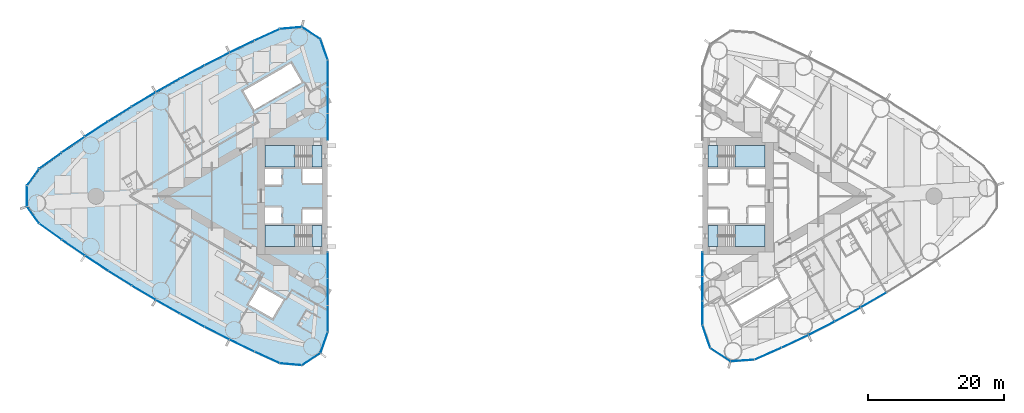
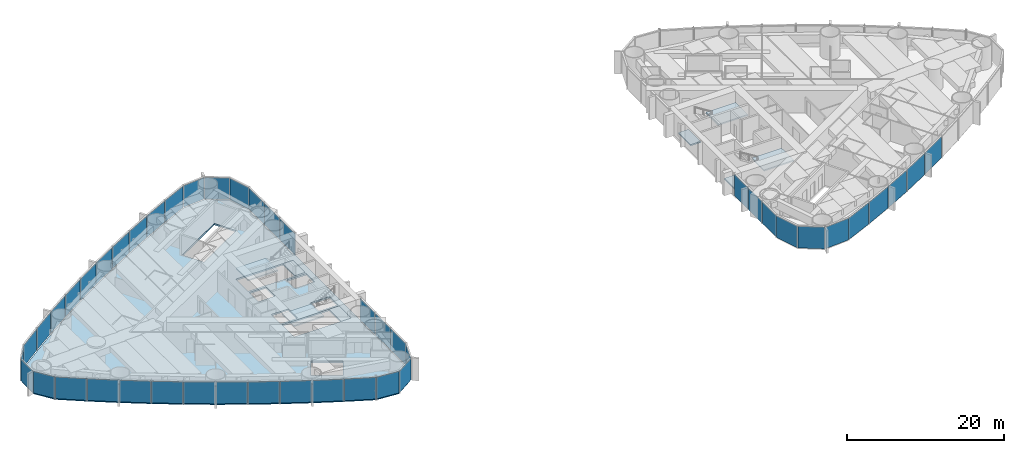
# One storey, part 9 of 19: 46 plates, 9 slabs, 6 elements without a shape of their own.
"""IFC4 building model written with IfcOpenShell, lengths in metres."""

from ifc_helpers import new_model, si_unit, direction, frame, origin, origin_2d, place, context, subcontext, project, spatial, polyline, rectangle, outline, extrude, material, layer, layer_set, type_object, element, aggregate, save


model = new_model("IFC4")

# Units and contexts
model_context = context("Model", 3, precision=1e-05, world=origin(), true_north=direction((0.0, 1.0)))
body_context = subcontext(model_context, "Body", "Model", "MODEL_VIEW")
ifc_project = project(units=[si_unit("LENGTHUNIT", "METRE"), si_unit("AREAUNIT", "SQUARE_METRE"), si_unit("VOLUMEUNIT", "CUBIC_METRE"), si_unit("PLANEANGLEUNIT", "RADIAN"), si_unit("MASSUNIT", "GRAM", prefix="KILO")], contexts=[model_context])

# Site, building, storey
site_placement = place(None, origin())
site = spatial("IfcSite", under=ifc_project, at=site_placement, CompositionType="ELEMENT")
building_placement = place(site_placement, origin())
building = spatial("IfcBuilding", under=site, at=building_placement, Name="Lancet Gate Hotel", CompositionType="ELEMENT")
storey_placement = place(building_placement, frame((0.0, 0.0, 90.60009765625)))
storey = spatial("IfcBuildingStorey", under=building, at=storey_placement, Name="L23", CompositionType="ELEMENT", Elevation=90.60009765625)

# Slab
ifc_material_1 = material(Name="Concrete C50/60", Category="concrete")
ifc_layer_1 = layer(ifc_material_1, 0.25)
ifc_layer_set_1 = layer_set([ifc_layer_1], Name="Floor slab 250")
slab_type_1 = type_object("IfcSlabType", Name="Floor slab 250", PredefinedType="FLOOR", material=ifc_layer_set_1)
slab_1_placement = place(storey_placement, frame((0.0, 0.0, -0.25)))
element("IfcSlab", 1, at=slab_1_placement, inside=storey, type_object=slab_type_1, Name="T1 L23 floor slab", PredefinedType="FLOOR", context=body_context, shape_type="SweptSolid", body=[
    extrude(outline(polyline([(-27.5, 8.60009765625), (-27.6201171875, 8.60009765625), (-27.6201171875, 19.950927734375), (-28.65966796875, 22.970947265625), (-31.320068359375, 24.69921875), (-34.5009765625, 24.421630859375), (-38.201416015625, 22.727783203125), (-41.8818359375, 20.946044921875), (-45.523193359375, 19.085693359375), (-49.12353515625, 17.147216796875), (-52.681396484375, 15.131591796875), (-56.195068359375, 13.0400390625), (-59.662841796875, 10.873291015625), (-63.0830078125, 8.63232421875), (-66.454345703125, 6.318115234375), (-69.76025390625, 3.94287109375), (-71.523193359375, 1.49755859375), (-71.523193359375, -1.49755859375), (-69.76025390625, -3.94287109375), (-66.454345703125, -6.318115234375), (-63.0830078125, -8.63232421875), (-59.662841796875, -10.873291015625), (-56.195068359375, -13.0400390625), (-52.681396484375, -15.131591796875), (-49.12353515625, -17.147216796875), (-45.523193359375, -19.085693359375), (-41.8818359375, -20.946044921875), (-38.201416015625, -22.727783203125), (-34.5009765625, -24.421630859375), (-31.320068359375, -24.69921875), (-28.65966796875, -22.970947265625), (-27.6201171875, -19.950927734375), (-27.6201171875, -8.60009765625), (-27.5, -8.60009765625), (-27.5, -8.199951171875), (-27.5, 8.199951171875), (-27.5, 8.60009765625)]), holes=[polyline([(-36.699951171875, 7.39990234375), (-36.699951171875, 4.300048828125), (-28.300048828125, 4.300048828125), (-28.300048828125, 7.39990234375), (-36.699951171875, 7.39990234375)]), polyline([(-28.300048828125, 4.0), (-31.199951171875, 4.0), (-31.199951171875, 1.89990234375), (-28.300048828125, 1.89990234375), (-28.300048828125, 4.0)]), polyline([(-34.25, 4.0), (-36.699951171875, 4.0), (-36.699951171875, 1.64990234375), (-34.25, 1.64990234375), (-34.25, 4.0)]), polyline([(-36.699951171875, -1.64990234375), (-36.699951171875, -4.0), (-34.25, -4.0), (-34.25, -1.64990234375), (-36.699951171875, -1.64990234375)]), polyline([(-28.300048828125, -1.89990234375), (-31.199951171875, -1.89990234375), (-31.199951171875, -4.0), (-28.300048828125, -4.0), (-28.300048828125, -1.89990234375)]), polyline([(-28.300048828125, -4.300048828125), (-36.699951171875, -4.300048828125), (-36.699951171875, -7.39990234375), (-28.300048828125, -7.39990234375), (-28.300048828125, -4.300048828125)]), polyline([(-31.2900390625, 16.73095703125), (-32.889892578125, 19.501953125), (-39.904052734375, 15.451904296875), (-38.303955078125, 12.680908203125), (-31.2900390625, 16.73095703125)]), polyline([(-33.97412109375, -15.180908203125), (-37.52490234375, -13.131103515625), (-39.125, -15.902099609375), (-35.573974609375, -17.951904296875), (-33.97412109375, -15.180908203125)])]), origin(), (0.0, 0.0, 1.0), 0.25),
])

# Stair, slabs
ifc_material_2 = material(Name="Exit stair 20 risers 1500")
stair_type = type_object("IfcStairType", Name="Exit stair 20 risers 1500", PredefinedType="HALF_TURN_STAIR", material=ifc_material_2)
stair_1_placement = place(storey_placement, origin())
stair_1 = element("IfcStair", 2, at=stair_1_placement, inside=storey, type_object=stair_type, Name="T1 stair 1 L23", PredefinedType="HALF_TURN_STAIR")
ifc_material_3 = material(Name="Concrete C40/50", Category="concrete")
ifc_layer_2 = layer(ifc_material_3, 0.199951171875)
ifc_layer_set_2 = layer_set([ifc_layer_2], Name="Stair landing 200")
slab_type_2 = type_object("IfcSlabType", Name="Stair landing 200", PredefinedType="LANDING", material=ifc_layer_set_2)
slab_2_placement = place(storey_placement, frame((0.0, 0.0, -0.2001953125)))
slab_2 = element("IfcSlab", 3, at=slab_2_placement, type_object=slab_type_2, Name="ST1 landing 1", PredefinedType="LANDING", context=body_context, shape_type="SweptSolid", body=[
    extrude(outline(polyline([(-28.300048828125, 7.39990234375), (-29.800048828125, 7.39990234375), (-29.800048828125, 4.300048828125), (-28.300048828125, 4.300048828125), (-28.300048828125, 7.39990234375)])), origin(), (0.0, 0.0, 1.0), 0.2001953125),
])
slab_3_placement = place(storey_placement, frame((0.0, 0.0, 1.5498046875)))
slab_3 = element("IfcSlab", 4, at=slab_3_placement, type_object=slab_type_2, Name="ST1 landing 2", PredefinedType="LANDING", context=body_context, shape_type="SweptSolid", body=[
    extrude(outline(polyline([(-32.320068359375, 7.39990234375), (-36.699951171875, 7.39990234375), (-36.699951171875, 4.300048828125), (-32.320068359375, 4.300048828125), (-32.320068359375, 7.39990234375)])), origin(), (0.0, 0.0, 1.0), 0.2001953125),
])
aggregate(stair_1, [slab_2, slab_3])

stair_2_placement = place(storey_placement, origin())
stair_2 = element("IfcStair", 5, at=stair_2_placement, inside=storey, type_object=stair_type, Name="T1 stair 2 L23", PredefinedType="HALF_TURN_STAIR")
slab_4_placement = place(storey_placement, frame((0.0, 0.0, -0.2001953125)))
slab_4 = element("IfcSlab", 6, at=slab_4_placement, type_object=slab_type_2, Name="ST2 landing 1", PredefinedType="LANDING", context=body_context, shape_type="SweptSolid", body=[
    extrude(outline(polyline([(-28.300048828125, -4.300048828125), (-29.800048828125, -4.300048828125), (-29.800048828125, -7.39990234375), (-28.300048828125, -7.39990234375), (-28.300048828125, -4.300048828125)])), origin(), (0.0, 0.0, 1.0), 0.2001953125),
])
slab_5_placement = place(storey_placement, frame((0.0, 0.0, 1.5498046875)))
slab_5 = element("IfcSlab", 7, at=slab_5_placement, type_object=slab_type_2, Name="ST2 landing 2", PredefinedType="LANDING", context=body_context, shape_type="SweptSolid", body=[
    extrude(outline(polyline([(-32.320068359375, -4.300048828125), (-36.699951171875, -4.300048828125), (-36.699951171875, -7.39990234375), (-32.320068359375, -7.39990234375), (-32.320068359375, -4.300048828125)])), origin(), (0.0, 0.0, 1.0), 0.2001953125),
])
aggregate(stair_2, [slab_4, slab_5])

stair_3_placement = place(storey_placement, origin())
stair_3 = element("IfcStair", 8, at=stair_3_placement, inside=storey, type_object=stair_type, Name="T2 stair 1 L23", PredefinedType="HALF_TURN_STAIR")
slab_6_placement = place(storey_placement, frame((0.0, 0.0, -0.2001953125)))
slab_6 = element("IfcSlab", 9, at=slab_6_placement, type_object=slab_type_2, Name="ST3 landing 1", PredefinedType="LANDING", context=body_context, shape_type="SweptSolid", body=[
    extrude(outline(polyline([(28.300048828125, -7.39990234375), (29.800048828125, -7.39990234375), (29.800048828125, -4.300048828125), (28.300048828125, -4.300048828125), (28.300048828125, -7.39990234375)])), origin(), (0.0, 0.0, 1.0), 0.2001953125),
])
slab_7_placement = place(storey_placement, frame((0.0, 0.0, 1.5498046875)))
slab_7 = element("IfcSlab", 10, at=slab_7_placement, type_object=slab_type_2, Name="ST3 landing 2", PredefinedType="LANDING", context=body_context, shape_type="SweptSolid", body=[
    extrude(outline(polyline([(32.320068359375, -7.39990234375), (36.699951171875, -7.39990234375), (36.699951171875, -4.300048828125), (32.320068359375, -4.300048828125), (32.320068359375, -7.39990234375)])), origin(), (0.0, 0.0, 1.0), 0.2001953125),
])
aggregate(stair_3, [slab_6, slab_7])

stair_4_placement = place(storey_placement, origin())
stair_4 = element("IfcStair", 11, at=stair_4_placement, inside=storey, type_object=stair_type, Name="T2 stair 2 L23", PredefinedType="HALF_TURN_STAIR")
slab_8_placement = place(storey_placement, frame((0.0, 0.0, -0.2001953125)))
slab_8 = element("IfcSlab", 12, at=slab_8_placement, type_object=slab_type_2, Name="ST4 landing 1", PredefinedType="LANDING", context=body_context, shape_type="SweptSolid", body=[
    extrude(outline(polyline([(28.300048828125, 4.300048828125), (29.800048828125, 4.300048828125), (29.800048828125, 7.39990234375), (28.300048828125, 7.39990234375), (28.300048828125, 4.300048828125)])), origin(), (0.0, 0.0, 1.0), 0.2001953125),
])
slab_9_placement = place(storey_placement, frame((0.0, 0.0, 1.5498046875)))
slab_9 = element("IfcSlab", 13, at=slab_9_placement, type_object=slab_type_2, Name="ST4 landing 2", PredefinedType="LANDING", context=body_context, shape_type="SweptSolid", body=[
    extrude(outline(polyline([(32.320068359375, 4.300048828125), (36.699951171875, 4.300048828125), (36.699951171875, 7.39990234375), (32.320068359375, 7.39990234375), (32.320068359375, 4.300048828125)])), origin(), (0.0, 0.0, 1.0), 0.2001953125),
])
aggregate(stair_4, [slab_8, slab_9])

# Curtain wall, plates
ifc_material_4 = material(Name="Aluminium curtain wall", Category="aluminium")
curtain_wall_type = type_object("IfcCurtainWallType", Name="Tower unitised curtain wall", PredefinedType="USERDEFINED", material=ifc_material_4)
curtain_wall_1_placement = place(storey_placement, origin())
curtain_wall_1 = element("IfcCurtainWall", 14, at=curtain_wall_1_placement, inside=storey, type_object=curtain_wall_type, Name="T1 L23 curtain wall 1", ObjectType="UNITISED CURTAIN WALL", PredefinedType="USERDEFINED")
ifc_material_5 = material(Name="Glass double glazed unit 8-16-6", Category="glass")
ifc_layer_3 = layer(ifc_material_5, 0.030029296875)
ifc_layer_set_3 = layer_set([ifc_layer_3], Name="Vision panel double glazed")
plate_type = type_object("IfcPlateType", Name="Vision panel double glazed", PredefinedType="CURTAIN_PANEL", material=ifc_layer_set_3)
plate_1_placement = place(storey_placement, frame((-27.5, 10.161865234375, -0.000244140625), z_axis=(0.0, 0.0, 1.0), x_axis=(0.0, 1.0, 0.0)))
plate_1 = element("IfcPlate", 15, at=plate_1_placement, type_object=plate_type, Name="T1 L23 curtain wall 1 panel 1", PredefinedType="CURTAIN_PANEL", context=body_context, shape_type="SweptSolid", body=[
    extrude(rectangle(XDim=3.858642578125, YDim=0.030029296875, at=origin_2d()), origin(), (0.0, 0.0, 1.0), 3.35009765625),
])
plate_2_placement = place(storey_placement, frame((-27.5, 14.08544921875, -0.000244140625), z_axis=(0.0, 0.0, 1.0), x_axis=(0.0, 1.0, 0.0)))
plate_2 = element("IfcPlate", 16, at=plate_2_placement, type_object=plate_type, Name="T1 L23 curtain wall 1 panel 2", PredefinedType="CURTAIN_PANEL", context=body_context, shape_type="SweptSolid", body=[
    extrude(rectangle(XDim=3.858642578125, YDim=0.030029296875, at=origin_2d()), origin(), (0.0, 0.0, 1.0), 3.35009765625),
])
plate_3_placement = place(storey_placement, frame((-27.5, 18.00927734375, -0.000244140625), z_axis=(0.0, 0.0, 1.0), x_axis=(0.0, 1.0, 0.0)))
plate_3 = element("IfcPlate", 17, at=plate_3_placement, type_object=plate_type, Name="T1 L23 curtain wall 1 panel 3", PredefinedType="CURTAIN_PANEL", context=body_context, shape_type="SweptSolid", body=[
    extrude(rectangle(XDim=3.858642578125, YDim=0.030029296875, at=origin_2d()), origin(), (0.0, 0.0, 1.0), 3.35009765625),
])
plate_4_placement = place(storey_placement, frame((-28.02978515625, 21.510009765625, -0.000244140625), z_axis=(0.0, 0.0, 1.0), x_axis=(-0.325515820766, 0.945536593914, 0.0)))
plate_4 = element("IfcPlate", 18, at=plate_4_placement, type_object=plate_type, Name="T1 L23 curtain wall 1 panel 4", PredefinedType="CURTAIN_PANEL", context=body_context, shape_type="SweptSolid", body=[
    extrude(rectangle(XDim=3.190185546875, YDim=0.030029296875, at=origin_2d()), origin(), (0.0, 0.0, 1.0), 3.35009765625),
])
plate_5_placement = place(storey_placement, frame((-29.924560546875, 23.935546875, -0.000244140625), z_axis=(0.0, 0.0, 1.0), x_axis=(-0.838580121261, 0.544778285385, 0.0)))
plate_5 = element("IfcPlate", 19, at=plate_5_placement, type_object=plate_type, Name="T1 L23 curtain wall 1 panel 5", PredefinedType="CURTAIN_PANEL", context=body_context, shape_type="SweptSolid", body=[
    extrude(rectangle(XDim=3.190185546875, YDim=0.030029296875, at=origin_2d()), origin(), (0.0, 0.0, 1.0), 3.35009765625),
])
plate_6_placement = place(storey_placement, frame((-32.91064453125, 24.680908203125, -0.000244140625), z_axis=(0.0, 0.0, 1.0), x_axis=(-0.996218779711, -0.086880049207, 0.0)))
plate_6 = element("IfcPlate", 20, at=plate_6_placement, type_object=plate_type, Name="T1 L23 curtain wall 1 panel 6", PredefinedType="CURTAIN_PANEL", context=body_context, shape_type="SweptSolid", body=[
    extrude(rectangle(XDim=3.190185546875, YDim=0.030029296875, at=origin_2d()), origin(), (0.0, 0.0, 1.0), 3.35009765625),
])
plate_7_placement = place(storey_placement, frame((-36.392333984375, 23.68798828125, -0.000244140625), z_axis=(0.0, 0.0, 1.0), x_axis=(-0.909252721243, -0.416244506166, 0.0)))
plate_7 = element("IfcPlate", 21, at=plate_7_placement, type_object=plate_type, Name="T1 L23 curtain wall 1 panel 7", PredefinedType="CURTAIN_PANEL", context=body_context, shape_type="SweptSolid", body=[
    extrude(rectangle(XDim=4.026611328125, YDim=0.030029296875, at=origin_2d()), origin(), (0.0, 0.0, 1.0), 3.35009765625),
])
plate_8_placement = place(storey_placement, frame((-40.093994140625, 21.945068359375, -0.000244140625), z_axis=(0.0, 0.0, 1.0), x_axis=(-0.900081672047, -0.435721222395, 0.0)))
plate_8 = element("IfcPlate", 22, at=plate_8_placement, type_object=plate_type, Name="T1 L23 curtain wall 1 panel 8", PredefinedType="CURTAIN_PANEL", context=body_context, shape_type="SweptSolid", body=[
    extrude(rectangle(XDim=4.026611328125, YDim=0.030029296875, at=origin_2d()), origin(), (0.0, 0.0, 1.0), 3.35009765625),
])
plate_9_placement = place(storey_placement, frame((-43.757080078125, 20.122802734375, -0.000244140625), z_axis=(0.0, 0.0, 1.0), x_axis=(-0.890493479451, -0.45499600334, 0.0)))
plate_9 = element("IfcPlate", 23, at=plate_9_placement, type_object=plate_type, Name="T1 L23 curtain wall 1 panel 9", PredefinedType="CURTAIN_PANEL", context=body_context, shape_type="SweptSolid", body=[
    extrude(rectangle(XDim=4.026611328125, YDim=0.030029296875, at=origin_2d()), origin(), (0.0, 0.0, 1.0), 3.35009765625),
])
plate_10_placement = place(storey_placement, frame((-47.380126953125, 18.221923828125, -0.000244140625), z_axis=(0.0, 0.0, 1.0), x_axis=(-0.880492587094, -0.474059916121, 0.0)))
plate_10 = element("IfcPlate", 24, at=plate_10_placement, type_object=plate_type, Name="T1 L23 curtain wall 1 panel 10", PredefinedType="CURTAIN_PANEL", context=body_context, shape_type="SweptSolid", body=[
    extrude(rectangle(XDim=4.026611328125, YDim=0.030029296875, at=origin_2d()), origin(), (0.0, 0.0, 1.0), 3.35009765625),
])
plate_11_placement = place(storey_placement, frame((-50.961669921875, 16.243896484375, -0.000244140625), z_axis=(0.0, 0.0, 1.0), x_axis=(-0.870083629903, -0.49290412554, 0.0)))
plate_11 = element("IfcPlate", 25, at=plate_11_placement, type_object=plate_type, Name="T1 L23 curtain wall 1 panel 11", PredefinedType="CURTAIN_PANEL", context=body_context, shape_type="SweptSolid", body=[
    extrude(rectangle(XDim=4.026611328125, YDim=0.030029296875, at=origin_2d()), origin(), (0.0, 0.0, 1.0), 3.35009765625),
])
plate_12_placement = place(storey_placement, frame((-54.49951171875, 14.18896484375, -0.000244140625), z_axis=(0.0, 0.0, 1.0), x_axis=(-0.859271431916, -0.511519898238, 0.0)))
plate_12 = element("IfcPlate", 26, at=plate_12_placement, type_object=plate_type, Name="T1 L23 curtain wall 1 panel 12", PredefinedType="CURTAIN_PANEL", context=body_context, shape_type="SweptSolid", body=[
    extrude(rectangle(XDim=4.026611328125, YDim=0.030029296875, at=origin_2d()), origin(), (0.0, 0.0, 1.0), 3.35009765625),
])
plate_13_placement = place(storey_placement, frame((-57.992431640625, 12.058349609375, -0.000244140625), z_axis=(0.0, 0.0, 1.0), x_axis=(-0.848061004052, -0.529898606722, 0.0)))
plate_13 = element("IfcPlate", 27, at=plate_13_placement, type_object=plate_type, Name="T1 L23 curtain wall 1 panel 13", PredefinedType="CURTAIN_PANEL", context=body_context, shape_type="SweptSolid", body=[
    extrude(rectangle(XDim=4.026611328125, YDim=0.030029296875, at=origin_2d()), origin(), (0.0, 0.0, 1.0), 3.35009765625),
])
plate_14_placement = place(storey_placement, frame((-61.438720703125, 9.85302734375, -0.000244140625), z_axis=(0.0, 0.0, 1.0), x_axis=(-0.836457541791, -0.54803173337, 0.0)))
plate_14 = element("IfcPlate", 28, at=plate_14_placement, type_object=plate_type, Name="T1 L23 curtain wall 1 panel 14", PredefinedType="CURTAIN_PANEL", context=body_context, shape_type="SweptSolid", body=[
    extrude(rectangle(XDim=4.026611328125, YDim=0.030029296875, at=origin_2d()), origin(), (0.0, 0.0, 1.0), 3.35009765625),
])
plate_15_placement = place(storey_placement, frame((-64.836669921875, 7.57421875, -0.000244140625), z_axis=(0.0, 0.0, 1.0), x_axis=(-0.824466422775, -0.565910874357, 0.0)))
plate_15 = element("IfcPlate", 29, at=plate_15_placement, type_object=plate_type, Name="T1 L23 curtain wall 1 panel 15", PredefinedType="CURTAIN_PANEL", context=body_context, shape_type="SweptSolid", body=[
    extrude(rectangle(XDim=4.026611328125, YDim=0.030029296875, at=origin_2d()), origin(), (0.0, 0.0, 1.0), 3.35009765625),
])
plate_16_placement = place(storey_placement, frame((-68.184814453125, 5.22265625, -0.000244140625), z_axis=(0.0, 0.0, 1.0), x_axis=(-0.812093204276, -0.583527743615, 0.0)))
plate_16 = element("IfcPlate", 30, at=plate_16_placement, type_object=plate_type, Name="T1 L23 curtain wall 1 panel 16", PredefinedType="CURTAIN_PANEL", context=body_context, shape_type="SweptSolid", body=[
    extrude(rectangle(XDim=4.026611328125, YDim=0.030029296875, at=origin_2d()), origin(), (0.0, 0.0, 1.0), 3.35009765625),
])
plate_17_placement = place(storey_placement, frame((-70.74462890625, 2.782470703125, -0.000244140625), z_axis=(0.0, 0.0, 1.0), x_axis=(-0.584808645706, -0.811171281486, 0.0)))
plate_17 = element("IfcPlate", 31, at=plate_17_placement, type_object=plate_type, Name="T1 L23 curtain wall 1 panel 17", PredefinedType="CURTAIN_PANEL", context=body_context, shape_type="SweptSolid", body=[
    extrude(rectangle(XDim=3.0078125, YDim=0.030029296875, at=origin_2d()), origin(), (0.0, 0.0, 1.0), 3.35009765625),
])
plate_18_placement = place(storey_placement, frame((-71.64306640625, 0.0, -0.000244140625), z_axis=(0.0, 0.0, 1.0), x_axis=(0.0, -1.0, 0.0)))
plate_18 = element("IfcPlate", 32, at=plate_18_placement, type_object=plate_type, Name="T1 L23 curtain wall 1 panel 18", PredefinedType="CURTAIN_PANEL", context=body_context, shape_type="SweptSolid", body=[
    extrude(rectangle(XDim=3.0078125, YDim=0.030029296875, at=origin_2d()), origin(), (0.0, 0.0, 1.0), 3.35009765625),
])
plate_19_placement = place(storey_placement, frame((-70.74462890625, -2.782470703125, -0.000244140625), z_axis=(0.0, 0.0, 1.0), x_axis=(0.584808645706, -0.811171281486, 0.0)))
plate_19 = element("IfcPlate", 33, at=plate_19_placement, type_object=plate_type, Name="T1 L23 curtain wall 1 panel 19", PredefinedType="CURTAIN_PANEL", context=body_context, shape_type="SweptSolid", body=[
    extrude(rectangle(XDim=3.0078125, YDim=0.030029296875, at=origin_2d()), origin(), (0.0, 0.0, 1.0), 3.35009765625),
])
plate_20_placement = place(storey_placement, frame((-68.184814453125, -5.22265625, -0.000244140625), z_axis=(0.0, 0.0, 1.0), x_axis=(0.812093204276, -0.583527743615, 0.0)))
plate_20 = element("IfcPlate", 34, at=plate_20_placement, type_object=plate_type, Name="T1 L23 curtain wall 1 panel 20", PredefinedType="CURTAIN_PANEL", context=body_context, shape_type="SweptSolid", body=[
    extrude(rectangle(XDim=4.026611328125, YDim=0.030029296875, at=origin_2d()), origin(), (0.0, 0.0, 1.0), 3.35009765625),
])
plate_21_placement = place(storey_placement, frame((-64.836669921875, -7.57421875, -0.000244140625), z_axis=(0.0, 0.0, 1.0), x_axis=(0.824466422775, -0.565910874357, 0.0)))
plate_21 = element("IfcPlate", 35, at=plate_21_placement, type_object=plate_type, Name="T1 L23 curtain wall 1 panel 21", PredefinedType="CURTAIN_PANEL", context=body_context, shape_type="SweptSolid", body=[
    extrude(rectangle(XDim=4.026611328125, YDim=0.030029296875, at=origin_2d()), origin(), (0.0, 0.0, 1.0), 3.35009765625),
])
plate_22_placement = place(storey_placement, frame((-61.438720703125, -9.85302734375, -0.000244140625), z_axis=(0.0, 0.0, 1.0), x_axis=(0.836457541791, -0.54803173337, 0.0)))
plate_22 = element("IfcPlate", 36, at=plate_22_placement, type_object=plate_type, Name="T1 L23 curtain wall 1 panel 22", PredefinedType="CURTAIN_PANEL", context=body_context, shape_type="SweptSolid", body=[
    extrude(rectangle(XDim=4.026611328125, YDim=0.030029296875, at=origin_2d()), origin(), (0.0, 0.0, 1.0), 3.35009765625),
])
plate_23_placement = place(storey_placement, frame((-57.992431640625, -12.058349609375, -0.000244140625), z_axis=(0.0, 0.0, 1.0), x_axis=(0.848061004052, -0.529898606722, 0.0)))
plate_23 = element("IfcPlate", 37, at=plate_23_placement, type_object=plate_type, Name="T1 L23 curtain wall 1 panel 23", PredefinedType="CURTAIN_PANEL", context=body_context, shape_type="SweptSolid", body=[
    extrude(rectangle(XDim=4.026611328125, YDim=0.030029296875, at=origin_2d()), origin(), (0.0, 0.0, 1.0), 3.35009765625),
])
plate_24_placement = place(storey_placement, frame((-54.49951171875, -14.18896484375, -0.000244140625), z_axis=(0.0, 0.0, 1.0), x_axis=(0.859271431916, -0.511519898238, 0.0)))
plate_24 = element("IfcPlate", 38, at=plate_24_placement, type_object=plate_type, Name="T1 L23 curtain wall 1 panel 24", PredefinedType="CURTAIN_PANEL", context=body_context, shape_type="SweptSolid", body=[
    extrude(rectangle(XDim=4.026611328125, YDim=0.030029296875, at=origin_2d()), origin(), (0.0, 0.0, 1.0), 3.35009765625),
])
plate_25_placement = place(storey_placement, frame((-50.961669921875, -16.243896484375, -0.000244140625), z_axis=(0.0, 0.0, 1.0), x_axis=(0.870083629903, -0.49290412554, 0.0)))
plate_25 = element("IfcPlate", 39, at=plate_25_placement, type_object=plate_type, Name="T1 L23 curtain wall 1 panel 25", PredefinedType="CURTAIN_PANEL", context=body_context, shape_type="SweptSolid", body=[
    extrude(rectangle(XDim=4.026611328125, YDim=0.030029296875, at=origin_2d()), origin(), (0.0, 0.0, 1.0), 3.35009765625),
])
plate_26_placement = place(storey_placement, frame((-47.380126953125, -18.221923828125, -0.000244140625), z_axis=(0.0, 0.0, 1.0), x_axis=(0.880492587094, -0.474059916121, 0.0)))
plate_26 = element("IfcPlate", 40, at=plate_26_placement, type_object=plate_type, Name="T1 L23 curtain wall 1 panel 26", PredefinedType="CURTAIN_PANEL", context=body_context, shape_type="SweptSolid", body=[
    extrude(rectangle(XDim=4.026611328125, YDim=0.030029296875, at=origin_2d()), origin(), (0.0, 0.0, 1.0), 3.35009765625),
])
plate_27_placement = place(storey_placement, frame((-43.757080078125, -20.122802734375, -0.000244140625), z_axis=(0.0, 0.0, 1.0), x_axis=(0.890493479451, -0.45499600334, 0.0)))
plate_27 = element("IfcPlate", 41, at=plate_27_placement, type_object=plate_type, Name="T1 L23 curtain wall 1 panel 27", PredefinedType="CURTAIN_PANEL", context=body_context, shape_type="SweptSolid", body=[
    extrude(rectangle(XDim=4.026611328125, YDim=0.030029296875, at=origin_2d()), origin(), (0.0, 0.0, 1.0), 3.35009765625),
])
plate_28_placement = place(storey_placement, frame((-40.093994140625, -21.945068359375, -0.000244140625), z_axis=(0.0, 0.0, 1.0), x_axis=(0.900081672047, -0.435721222395, 0.0)))
plate_28 = element("IfcPlate", 42, at=plate_28_placement, type_object=plate_type, Name="T1 L23 curtain wall 1 panel 28", PredefinedType="CURTAIN_PANEL", context=body_context, shape_type="SweptSolid", body=[
    extrude(rectangle(XDim=4.026611328125, YDim=0.030029296875, at=origin_2d()), origin(), (0.0, 0.0, 1.0), 3.35009765625),
])
plate_29_placement = place(storey_placement, frame((-36.392333984375, -23.68798828125, -0.000244140625), z_axis=(0.0, 0.0, 1.0), x_axis=(0.909252721243, -0.416244506166, 0.0)))
plate_29 = element("IfcPlate", 43, at=plate_29_placement, type_object=plate_type, Name="T1 L23 curtain wall 1 panel 29", PredefinedType="CURTAIN_PANEL", context=body_context, shape_type="SweptSolid", body=[
    extrude(rectangle(XDim=4.026611328125, YDim=0.030029296875, at=origin_2d()), origin(), (0.0, 0.0, 1.0), 3.35009765625),
])
plate_30_placement = place(storey_placement, frame((-32.91064453125, -24.680908203125, -0.000244140625), z_axis=(0.0, 0.0, 1.0), x_axis=(0.996218779711, -0.086880049207, 0.0)))
plate_30 = element("IfcPlate", 44, at=plate_30_placement, type_object=plate_type, Name="T1 L23 curtain wall 1 panel 30", PredefinedType="CURTAIN_PANEL", context=body_context, shape_type="SweptSolid", body=[
    extrude(rectangle(XDim=3.190185546875, YDim=0.030029296875, at=origin_2d()), origin(), (0.0, 0.0, 1.0), 3.35009765625),
])
plate_31_placement = place(storey_placement, frame((-29.924560546875, -23.935546875, -0.000244140625), z_axis=(0.0, 0.0, 1.0), x_axis=(0.838580121261, 0.544778285385, 0.0)))
plate_31 = element("IfcPlate", 45, at=plate_31_placement, type_object=plate_type, Name="T1 L23 curtain wall 1 panel 31", PredefinedType="CURTAIN_PANEL", context=body_context, shape_type="SweptSolid", body=[
    extrude(rectangle(XDim=3.190185546875, YDim=0.030029296875, at=origin_2d()), origin(), (0.0, 0.0, 1.0), 3.35009765625),
])
plate_32_placement = place(storey_placement, frame((-28.02978515625, -21.510009765625, -0.000244140625), z_axis=(0.0, 0.0, 1.0), x_axis=(0.325515820766, 0.945536593914, 0.0)))
plate_32 = element("IfcPlate", 46, at=plate_32_placement, type_object=plate_type, Name="T1 L23 curtain wall 1 panel 32", PredefinedType="CURTAIN_PANEL", context=body_context, shape_type="SweptSolid", body=[
    extrude(rectangle(XDim=3.190185546875, YDim=0.030029296875, at=origin_2d()), origin(), (0.0, 0.0, 1.0), 3.35009765625),
])
plate_33_placement = place(storey_placement, frame((-27.5, -18.00927734375, -0.000244140625), z_axis=(0.0, 0.0, 1.0), x_axis=(0.0, 1.0, 0.0)))
plate_33 = element("IfcPlate", 47, at=plate_33_placement, type_object=plate_type, Name="T1 L23 curtain wall 1 panel 33", PredefinedType="CURTAIN_PANEL", context=body_context, shape_type="SweptSolid", body=[
    extrude(rectangle(XDim=3.858642578125, YDim=0.030029296875, at=origin_2d()), origin(), (0.0, 0.0, 1.0), 3.35009765625),
])
plate_34_placement = place(storey_placement, frame((-27.5, -14.08544921875, -0.000244140625), z_axis=(0.0, 0.0, 1.0), x_axis=(0.0, 1.0, 0.0)))
plate_34 = element("IfcPlate", 48, at=plate_34_placement, type_object=plate_type, Name="T1 L23 curtain wall 1 panel 34", PredefinedType="CURTAIN_PANEL", context=body_context, shape_type="SweptSolid", body=[
    extrude(rectangle(XDim=3.858642578125, YDim=0.030029296875, at=origin_2d()), origin(), (0.0, 0.0, 1.0), 3.35009765625),
])
plate_35_placement = place(storey_placement, frame((-27.5, -10.161865234375, -0.000244140625), z_axis=(0.0, 0.0, 1.0), x_axis=(0.0, 1.0, 0.0)))
plate_35 = element("IfcPlate", 49, at=plate_35_placement, type_object=plate_type, Name="T1 L23 curtain wall 1 panel 35", PredefinedType="CURTAIN_PANEL", context=body_context, shape_type="SweptSolid", body=[
    extrude(rectangle(XDim=3.858642578125, YDim=0.030029296875, at=origin_2d()), origin(), (0.0, 0.0, 1.0), 3.35009765625),
])
aggregate(curtain_wall_1, [plate_1, plate_2, plate_3, plate_4, plate_5, plate_6, plate_7, plate_8, plate_9, plate_10, plate_11, plate_12, plate_13, plate_14, plate_15, plate_16, plate_17, plate_18, plate_19, plate_20, plate_21, plate_22, plate_23, plate_24, plate_25, plate_26, plate_27, plate_28, plate_29, plate_30, plate_31, plate_32, plate_33, plate_34, plate_35])

curtain_wall_2_placement = place(storey_placement, origin())
curtain_wall_2 = element("IfcCurtainWall", 50, at=curtain_wall_2_placement, inside=storey, type_object=curtain_wall_type, Name="T2 L23 curtain wall 1", ObjectType="UNITISED CURTAIN WALL", PredefinedType="USERDEFINED")
plate_36_placement = place(storey_placement, frame((27.5, -9.990478515625, -0.000244140625), z_axis=(0.0, 0.0, 1.0), x_axis=(0.0, -1.0, 0.0)))
plate_36 = element("IfcPlate", 51, at=plate_36_placement, type_object=plate_type, Name="T2 L23 curtain wall 1 panel 1", PredefinedType="CURTAIN_PANEL", context=body_context, shape_type="SweptSolid", body=[
    extrude(rectangle(XDim=3.515869140625, YDim=0.030029296875, at=origin_2d()), origin(), (0.0, 0.0, 1.0), 3.35009765625),
])
plate_37_placement = place(storey_placement, frame((27.5, -13.571533203125, -0.000244140625), z_axis=(0.0, 0.0, 1.0), x_axis=(0.0, -1.0, 0.0)))
plate_37 = element("IfcPlate", 52, at=plate_37_placement, type_object=plate_type, Name="T2 L23 curtain wall 1 panel 2", PredefinedType="CURTAIN_PANEL", context=body_context, shape_type="SweptSolid", body=[
    extrude(rectangle(XDim=3.515869140625, YDim=0.030029296875, at=origin_2d()), origin(), (0.0, 0.0, 1.0), 3.35009765625),
])
plate_38_placement = place(storey_placement, frame((27.5, -17.15234375, -0.000244140625), z_axis=(0.0, 0.0, 1.0), x_axis=(0.0, -1.0, 0.0)))
plate_38 = element("IfcPlate", 53, at=plate_38_placement, type_object=plate_type, Name="T2 L23 curtain wall 1 panel 3", PredefinedType="CURTAIN_PANEL", context=body_context, shape_type="SweptSolid", body=[
    extrude(rectangle(XDim=3.515869140625, YDim=0.030029296875, at=origin_2d()), origin(), (0.0, 0.0, 1.0), 3.35009765625),
])
plate_39_placement = place(storey_placement, frame((28.072265625, -20.622314453125, -0.000244140625), z_axis=(0.0, 0.0, 1.0), x_axis=(0.32257568891, -0.946543673015, 0.0)))
plate_39 = element("IfcPlate", 54, at=plate_39_placement, type_object=plate_type, Name="T2 L23 curtain wall 1 panel 4", PredefinedType="CURTAIN_PANEL", context=body_context, shape_type="SweptSolid", body=[
    extrude(rectangle(XDim=3.4833984375, YDim=0.030029296875, at=origin_2d()), origin(), (0.0, 0.0, 1.0), 3.35009765625),
])
plate_40_placement = place(storey_placement, frame((30.123291015625, -23.281982421875, -0.000244140625), z_axis=(0.0, 0.0, 1.0), x_axis=(0.833464516611, -0.552572981198, 0.0)))
plate_40 = element("IfcPlate", 55, at=plate_40_placement, type_object=plate_type, Name="T2 L23 curtain wall 1 panel 5", PredefinedType="CURTAIN_PANEL", context=body_context, shape_type="SweptSolid", body=[
    extrude(rectangle(XDim=3.4833984375, YDim=0.030029296875, at=origin_2d()), origin(), (0.0, 0.0, 1.0), 3.35009765625),
])
plate_41_placement = place(storey_placement, frame((33.37158203125, -24.1357421875, -0.000244140625), z_axis=(0.0, 0.0, 1.0), x_axis=(0.997448492935, 0.07138980278, 0.0)))
plate_41 = element("IfcPlate", 56, at=plate_41_placement, type_object=plate_type, Name="T2 L23 curtain wall 1 panel 6", PredefinedType="CURTAIN_PANEL", context=body_context, shape_type="SweptSolid", body=[
    extrude(rectangle(XDim=3.4833984375, YDim=0.030029296875, at=origin_2d()), origin(), (0.0, 0.0, 1.0), 3.35009765625),
])
plate_42_placement = place(storey_placement, frame((37.13134765625, -23.13427734375, -0.000244140625), z_axis=(0.0, 0.0, 1.0), x_axis=(0.915478658759, 0.40236653111, 0.0)))
plate_42 = element("IfcPlate", 57, at=plate_42_placement, type_object=plate_type, Name="T2 L23 curtain wall 1 panel 7", PredefinedType="CURTAIN_PANEL", context=body_context, shape_type="SweptSolid", body=[
    extrude(rectangle(XDim=4.2822265625, YDim=0.030029296875, at=origin_2d()), origin(), (0.0, 0.0, 1.0), 3.35009765625),
])
plate_43_placement = place(storey_placement, frame((41.08544921875, -21.3291015625, -0.000244140625), z_axis=(0.0, 0.0, 1.0), x_axis=(0.903683440096, 0.428201167789, 0.0)))
plate_43 = element("IfcPlate", 58, at=plate_43_placement, type_object=plate_type, Name="T2 L23 curtain wall 1 panel 8", PredefinedType="CURTAIN_PANEL", context=body_context, shape_type="SweptSolid", body=[
    extrude(rectangle(XDim=4.2822265625, YDim=0.030029296875, at=origin_2d()), origin(), (0.0, 0.0, 1.0), 3.35009765625),
])
plate_44_placement = place(storey_placement, frame((44.98681640625, -19.412109375, -0.000244140625), z_axis=(0.0, 0.0, 1.0), x_axis=(0.891159350462, 0.453690436403, 0.0)))
plate_44 = element("IfcPlate", 59, at=plate_44_placement, type_object=plate_type, Name="T2 L23 curtain wall 1 panel 9", PredefinedType="CURTAIN_PANEL", context=body_context, shape_type="SweptSolid", body=[
    extrude(rectangle(XDim=4.2822265625, YDim=0.030029296875, at=origin_2d()), origin(), (0.0, 0.0, 1.0), 3.35009765625),
])
plate_45_placement = place(storey_placement, frame((48.832275390625, -17.38525390625, -0.000244140625), z_axis=(0.0, 0.0, 1.0), x_axis=(0.877916491224, 0.478813778454, 0.0)))
plate_45 = element("IfcPlate", 60, at=plate_45_placement, type_object=plate_type, Name="T2 L23 curtain wall 1 panel 10", PredefinedType="CURTAIN_PANEL", context=body_context, shape_type="SweptSolid", body=[
    extrude(rectangle(XDim=4.2822265625, YDim=0.030029296875, at=origin_2d()), origin(), (0.0, 0.0, 1.0), 3.35009765625),
])
plate_46_placement = place(storey_placement, frame((52.618408203125, -15.249755859375, -0.000244140625), z_axis=(0.0, 0.0, 1.0), x_axis=(0.863965543499, 0.503550930538, 0.0)))
plate_46 = element("IfcPlate", 61, at=plate_46_placement, type_object=plate_type, Name="T2 L23 curtain wall 1 panel 11", PredefinedType="CURTAIN_PANEL", context=body_context, shape_type="SweptSolid", body=[
    extrude(rectangle(XDim=4.2822265625, YDim=0.030029296875, at=origin_2d()), origin(), (0.0, 0.0, 1.0), 3.35009765625),
])
aggregate(curtain_wall_2, [plate_36, plate_37, plate_38, plate_39, plate_40, plate_41, plate_42, plate_43, plate_44, plate_45, plate_46])

save(model, "model.ifc")
